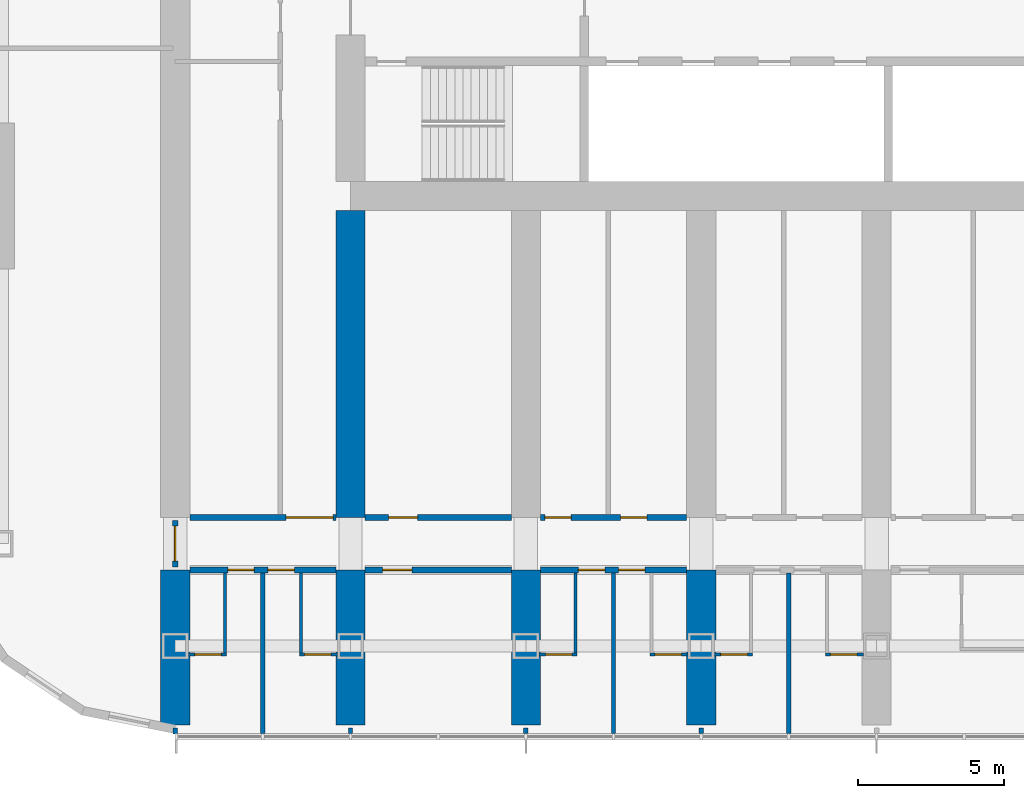
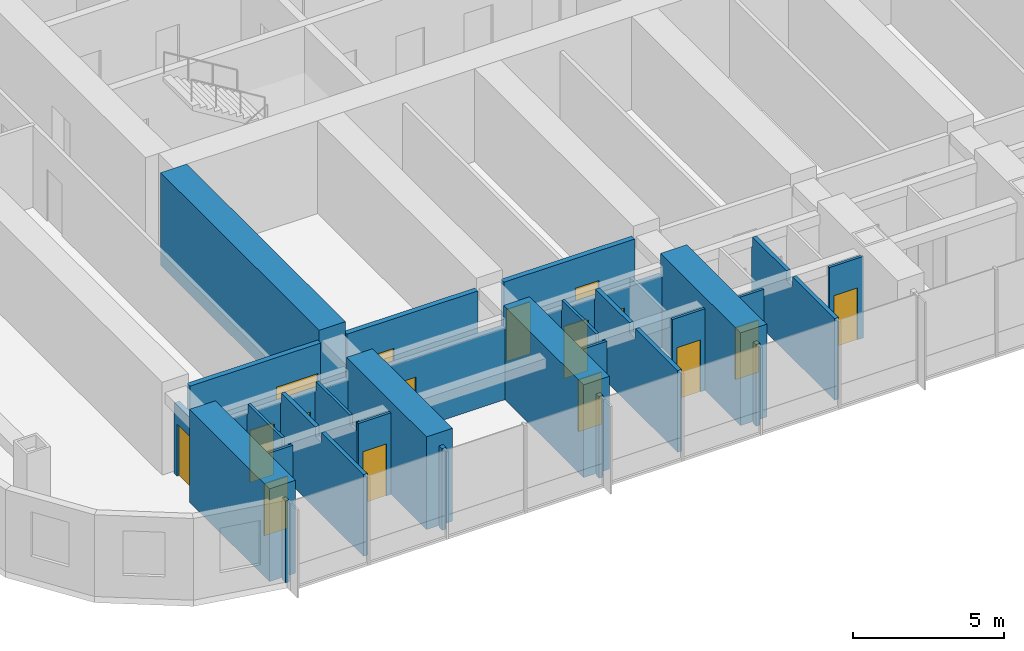
# One storey, part 10 of 23: 28 walls, 16 doors, 16 openings.
"""IFC4 building model written with IfcOpenShell, lengths in metres."""

from ifc_helpers import new_model, si_unit, direction, frame, frame_2d, origin, place, context, subcontext, project, spatial, polyline, rectangle, outline, extrude, material, layer, layer_set, type_object, element, fill, save


model = new_model("IFC4")

# Units and contexts
model_context = context("Model", 3, precision=1e-05, world=origin(), true_north=direction((0.0, 1.0)))
body_context = subcontext(model_context, "Body", "Model", "MODEL_VIEW")
ifc_project = project(units=[si_unit("LENGTHUNIT", "METRE"), si_unit("AREAUNIT", "SQUARE_METRE"), si_unit("VOLUMEUNIT", "CUBIC_METRE"), si_unit("PLANEANGLEUNIT", "RADIAN"), si_unit("MASSUNIT", "GRAM", prefix="KILO")], contexts=[model_context])

# Site, building, storey
site_placement = place(None, origin())
site = spatial("IfcSite", under=ifc_project, at=site_placement, CompositionType="ELEMENT")
building_placement = place(site_placement, origin())
building = spatial("IfcBuilding", under=site, at=building_placement, Name="Orbita Commons", CompositionType="ELEMENT")
storey_placement = place(building_placement, frame((0.0, 0.0, 50.199951171875)))
storey = spatial("IfcBuildingStorey", under=building, at=storey_placement, Name="L12", CompositionType="ELEMENT", Elevation=50.199951171875)

# Wall, openings, doors
ifc_material_1 = material(Name="Concrete blockwork", Category="masonry")
ifc_layer_1 = layer(ifc_material_1, 0.199951171875)
ifc_layer_set_1 = layer_set([ifc_layer_1], Name="Concrete blockwork")
wall_type_1 = type_object("IfcWallType", Name="Corridor wall 200 blockwork", PredefinedType="SOLIDWALL", material=ifc_layer_set_1)
wall_1_placement = place(storey_placement, frame((12.5, 13.0, 0.0), z_axis=(0.0, 0.0, 1.0), x_axis=(1.0, 0.0, 0.0)))
wall_1 = element("IfcWall", 1, at=wall_1_placement, inside=storey, type_object=wall_type_1, Name="Corridor wall 200 blockwork L12", PredefinedType="SOLIDWALL", context=body_context, shape_type="SweptSolid", body=[
    extrude(outline(polyline([(0.0, 0.0), (5.0, 0.0), (5.0, 2.900146484375), (0.0, 2.900146484375), (0.0, 0.0)])), frame((0.0, 0.10009765625, 0.0), z_axis=(0.0, -1.0, 0.0), x_axis=(1.0, 0.0, 0.0)), (0.0, 0.0, 1.0), 0.199951171875),
])
opening_1_placement = place(wall_1_placement, frame((1.300048828125, 0.0, 0.0)))
opening_1 = element("IfcOpeningElement", 2, at=opening_1_placement, cuts=wall_1, Name="Opening D11", PredefinedType="OPENING", context=body_context, shape_type="SweptSolid", body=[
    extrude(rectangle(XDim=0.89990234375, YDim=2.10009765625, at=frame_2d((0.449951171875, 1.050048828125))), frame((0.0, 0.10986328125, 0.0), z_axis=(0.0, -1.0, 0.0), x_axis=(1.0, 0.0, 0.0)), (0.0, 0.0, 1.0), 0.219970703125),
])
opening_2_placement = place(wall_1_placement, frame((2.675048828125, 0.0, 0.0)))
opening_2 = element("IfcOpeningElement", 3, at=opening_2_placement, cuts=wall_1, Name="Opening D11", PredefinedType="OPENING", context=body_context, shape_type="SweptSolid", body=[
    extrude(rectangle(XDim=0.89990234375, YDim=2.10009765625, at=frame_2d((0.449951171875, 1.050048828125))), frame((0.0, 0.10986328125, 0.0), z_axis=(0.0, -1.0, 0.0), x_axis=(1.0, 0.0, 0.0)), (0.0, 0.0, 1.0), 0.219970703125),
])
ifc_material_2 = material(Name="Steel-faced fire door leaf", Category="steel")
door_type_1 = type_object("IfcDoorType", Name="Corridor door 20 min 900x2100", OperationType="SINGLE_SWING_LEFT", PredefinedType="DOOR", material=ifc_material_2)
door_1_placement = place(opening_1_placement, origin())
door_1 = element("IfcDoor", 4, at=door_1_placement, inside=storey, type_object=door_type_1, Name="House bedroom L12-S00 door", OperationType="SINGLE_SWING_LEFT", OverallHeight=2.10009765625, OverallWidth=0.89990234375, PredefinedType="DOOR", context=body_context, shape_type="SweptSolid", body=[
    extrude(rectangle(XDim=0.89990234375, YDim=2.10009765625, at=frame_2d((0.449951171875, 1.050048828125))), frame((0.0, 0.02490234375, 0.0), z_axis=(0.0, -1.0, 0.0), x_axis=(1.0, 0.0, 0.0)), (0.0, 0.0, 1.0), 0.050048828125),
])
fill(opening_1, door_1)
door_2_placement = place(opening_2_placement, origin())
door_2 = element("IfcDoor", 5, at=door_2_placement, inside=storey, type_object=door_type_1, Name="House bedroom L12-S01 door", OperationType="SINGLE_SWING_LEFT", OverallHeight=2.10009765625, OverallWidth=0.89990234375, PredefinedType="DOOR", context=body_context, shape_type="SweptSolid", body=[
    extrude(rectangle(XDim=0.89990234375, YDim=2.10009765625, at=frame_2d((0.449951171875, 1.050048828125))), frame((0.0, 0.02490234375, 0.0), z_axis=(0.0, -1.0, 0.0), x_axis=(1.0, 0.0, 0.0)), (0.0, 0.0, 1.0), 0.050048828125),
])
fill(opening_2, door_2)

# Wall, opening, door
wall_2_placement = place(storey_placement, frame((18.5, 13.0, 0.0), z_axis=(0.0, 0.0, 1.0), x_axis=(1.0, 0.0, 0.0)))
wall_2 = element("IfcWall", 6, at=wall_2_placement, inside=storey, type_object=wall_type_1, Name="Corridor wall 200 blockwork L12", PredefinedType="SOLIDWALL", context=body_context, shape_type="SweptSolid", body=[
    extrude(outline(polyline([(0.0, 0.0), (5.0, 0.0), (5.0, 2.900146484375), (0.0, 2.900146484375), (0.0, 0.0)])), frame((0.0, 0.10009765625, 0.0), z_axis=(0.0, -1.0, 0.0), x_axis=(1.0, 0.0, 0.0)), (0.0, 0.0, 1.0), 0.199951171875),
])
opening_3_placement = place(wall_2_placement, frame((0.60009765625, 0.0, 0.0)))
opening_3 = element("IfcOpeningElement", 7, at=opening_3_placement, cuts=wall_2, Name="Opening D06", PredefinedType="OPENING", context=body_context, shape_type="SweptSolid", body=[
    extrude(rectangle(XDim=1.0, YDim=2.10009765625, at=frame_2d((0.5, 1.050048828125))), frame((0.0, 0.10986328125, 0.0), z_axis=(0.0, -1.0, 0.0), x_axis=(1.0, 0.0, 0.0)), (0.0, 0.0, 1.0), 0.219970703125),
])
ifc_material_3 = material(Name="Steel-faced fire door leaf", Category="steel")
door_type_2 = type_object("IfcDoorType", Name="Corridor door 20 min 1000x2100", OperationType="SINGLE_SWING_LEFT", PredefinedType="DOOR", material=ifc_material_3)
door_3_placement = place(opening_3_placement, origin())
door_3 = element("IfcDoor", 8, at=door_3_placement, inside=storey, type_object=door_type_2, Name="House study room L12-S02 door", OperationType="SINGLE_SWING_LEFT", OverallHeight=2.10009765625, OverallWidth=1.0, PredefinedType="DOOR", context=body_context, shape_type="SweptSolid", body=[
    extrude(rectangle(XDim=1.0, YDim=2.10009765625, at=frame_2d((0.5, 1.050048828125))), frame((0.0, 0.02490234375, 0.0), z_axis=(0.0, -1.0, 0.0), x_axis=(1.0, 0.0, 0.0)), (0.0, 0.0, 1.0), 0.050048828125),
])
fill(opening_3, door_3)

# Wall, openings, doors
wall_3_placement = place(storey_placement, frame((24.5, 13.0, 0.0), z_axis=(0.0, 0.0, 1.0), x_axis=(1.0, 0.0, 0.0)))
wall_3 = element("IfcWall", 9, at=wall_3_placement, inside=storey, type_object=wall_type_1, Name="Corridor wall 200 blockwork L12", PredefinedType="SOLIDWALL", context=body_context, shape_type="SweptSolid", body=[
    extrude(outline(polyline([(0.0, 0.0), (5.0, 0.0), (5.0, 2.900146484375), (0.0, 2.900146484375), (0.0, 0.0)])), frame((0.0, 0.10009765625, 0.0), z_axis=(0.0, -1.0, 0.0), x_axis=(1.0, 0.0, 0.0)), (0.0, 0.0, 1.0), 0.199951171875),
])
opening_4_placement = place(wall_3_placement, frame((1.300048828125, 0.0, 0.0)))
opening_4 = element("IfcOpeningElement", 10, at=opening_4_placement, cuts=wall_3, Name="Opening D11", PredefinedType="OPENING", context=body_context, shape_type="SweptSolid", body=[
    extrude(rectangle(XDim=0.89990234375, YDim=2.10009765625, at=frame_2d((0.449951171875, 1.050048828125))), frame((0.0, 0.10986328125, 0.0), z_axis=(0.0, -1.0, 0.0), x_axis=(1.0, 0.0, 0.0)), (0.0, 0.0, 1.0), 0.219970703125),
])
opening_5_placement = place(wall_3_placement, frame((2.675048828125, 0.0, 0.0)))
opening_5 = element("IfcOpeningElement", 11, at=opening_5_placement, cuts=wall_3, Name="Opening D11", PredefinedType="OPENING", context=body_context, shape_type="SweptSolid", body=[
    extrude(rectangle(XDim=0.89990234375, YDim=2.10009765625, at=frame_2d((0.449951171875, 1.050048828125))), frame((0.0, 0.10986328125, 0.0), z_axis=(0.0, -1.0, 0.0), x_axis=(1.0, 0.0, 0.0)), (0.0, 0.0, 1.0), 0.219970703125),
])
door_4_placement = place(opening_4_placement, origin())
door_4 = element("IfcDoor", 12, at=door_4_placement, inside=storey, type_object=door_type_1, Name="House bedroom L12-S04 door", OperationType="SINGLE_SWING_LEFT", OverallHeight=2.10009765625, OverallWidth=0.89990234375, PredefinedType="DOOR", context=body_context, shape_type="SweptSolid", body=[
    extrude(rectangle(XDim=0.89990234375, YDim=2.10009765625, at=frame_2d((0.449951171875, 1.050048828125))), frame((0.0, 0.02490234375, 0.0), z_axis=(0.0, -1.0, 0.0), x_axis=(1.0, 0.0, 0.0)), (0.0, 0.0, 1.0), 0.050048828125),
])
fill(opening_4, door_4)
door_5_placement = place(opening_5_placement, origin())
door_5 = element("IfcDoor", 13, at=door_5_placement, inside=storey, type_object=door_type_1, Name="House bedroom L12-S05 door", OperationType="SINGLE_SWING_LEFT", OverallHeight=2.10009765625, OverallWidth=0.89990234375, PredefinedType="DOOR", context=body_context, shape_type="SweptSolid", body=[
    extrude(rectangle(XDim=0.89990234375, YDim=2.10009765625, at=frame_2d((0.449951171875, 1.050048828125))), frame((0.0, 0.02490234375, 0.0), z_axis=(0.0, -1.0, 0.0), x_axis=(1.0, 0.0, 0.0)), (0.0, 0.0, 1.0), 0.050048828125),
])
fill(opening_5, door_5)

# Wall, opening, door
wall_4_placement = place(storey_placement, frame((12.0, 13.10009765625, 0.0), z_axis=(0.0, 0.0, 1.0), x_axis=(0.0, 1.0, 0.0)))
wall_4 = element("IfcWall", 14, at=wall_4_placement, inside=storey, type_object=wall_type_1, Name="Corridor wall 200 blockwork L12", PredefinedType="SOLIDWALL", context=body_context, shape_type="SweptSolid", body=[
    extrude(outline(polyline([(0.0, 0.0), (1.599853515625, 0.0), (1.60009765625, 2.85009765625), (0.0, 2.85009765625), (0.0, 0.0)])), frame((0.0, 0.10009765625, 0.0), z_axis=(0.0, -1.0, 0.0), x_axis=(1.0, 0.0, 0.0)), (0.0, 0.0, 1.0), 0.199951171875),
])
opening_6_placement = place(wall_4_placement, frame((0.199951171875, 0.0, 0.0)))
opening_6 = element("IfcOpeningElement", 15, at=opening_6_placement, cuts=wall_4, Name="Opening D12", PredefinedType="OPENING", context=body_context, shape_type="SweptSolid", body=[
    extrude(rectangle(XDim=1.199951171875, YDim=2.10009765625, at=frame_2d((0.60009765625, 1.050048828125))), frame((0.0, 0.10986328125, 0.0), z_axis=(0.0, -1.0, 0.0), x_axis=(1.0, 0.0, 0.0)), (0.0, 0.0, 1.0), 0.219970703125),
])
ifc_material_4 = material(Name="Steel-faced fire door leaf", Category="steel")
door_type_3 = type_object("IfcDoorType", Name="Double corridor door 20 min 1200x2100", OperationType="DOUBLE_DOOR_SINGLE_SWING", PredefinedType="DOOR", material=ifc_material_4)
door_6_placement = place(opening_6_placement, origin())
door_6 = element("IfcDoor", 16, at=door_6_placement, inside=storey, type_object=door_type_3, Name="Lounge doors", OperationType="DOUBLE_DOOR_SINGLE_SWING", OverallHeight=2.10009765625, OverallWidth=1.199951171875, PredefinedType="DOOR", context=body_context, shape_type="SweptSolid", body=[
    extrude(rectangle(XDim=1.199951171875, YDim=2.10009765625, at=frame_2d((0.60009765625, 1.050048828125))), frame((0.0, 0.02490234375, 0.0), z_axis=(0.0, -1.0, 0.0), x_axis=(1.0, 0.0, 0.0)), (0.0, 0.0, 1.0), 0.050048828125),
])
fill(opening_6, door_6)

ifc_material_5 = material(Name="Hollow concrete block 200", Category="concrete")
ifc_layer_2 = layer(ifc_material_5, 0.199951171875)
ifc_layer_set_2 = layer_set([ifc_layer_2], Name="Hollow concrete block 200")
wall_type_2 = type_object("IfcWallType", Name="Corridor wall 200 hollow concrete block", PredefinedType="SOLIDWALL", material=ifc_layer_set_2)
wall_5_placement = place(storey_placement, frame((12.5, 14.800048828125, 0.0), z_axis=(0.0, 0.0, 1.0), x_axis=(1.0, 0.0, 0.0)))
wall_5 = element("IfcWall", 17, at=wall_5_placement, inside=storey, type_object=wall_type_2, Name="Corridor wall 200 hollow concrete block L12", PredefinedType="SOLIDWALL", context=body_context, shape_type="SweptSolid", body=[
    extrude(rectangle(XDim=5.0, YDim=0.199951171875, at=frame_2d((2.5, 0.0))), origin(), (0.0, 0.0, 1.0), 3.300048828125),
])
opening_7_placement = place(wall_5_placement, frame((3.300048828125, 0.0, 0.0)))
opening_7 = element("IfcOpeningElement", 18, at=opening_7_placement, cuts=wall_5, Name="Opening D10", PredefinedType="OPENING", context=body_context, shape_type="SweptSolid", body=[
    extrude(rectangle(XDim=1.60009765625, YDim=2.10009765625, at=frame_2d((0.800048828125, 1.050048828125))), frame((0.0, 0.10986328125, 0.0), z_axis=(0.0, -1.0, 0.0), x_axis=(1.0, 0.0, 0.0)), (0.0, 0.0, 1.0), 0.219970703125),
])
ifc_material_6 = material(Name="Steel-faced fire door leaf", Category="steel")
door_type_4 = type_object("IfcDoorType", Name="Double corridor door 20 min 1600x2100", OperationType="DOUBLE_DOOR_SINGLE_SWING", PredefinedType="DOOR", material=ifc_material_6)
door_7_placement = place(opening_7_placement, origin())
door_7 = element("IfcDoor", 19, at=door_7_placement, inside=storey, type_object=door_type_4, Name="Cross corridor doors", OperationType="DOUBLE_DOOR_SINGLE_SWING", OverallHeight=2.10009765625, OverallWidth=1.60009765625, PredefinedType="DOOR", context=body_context, shape_type="SweptSolid", body=[
    extrude(rectangle(XDim=1.60009765625, YDim=2.10009765625, at=frame_2d((0.800048828125, 1.050048828125))), frame((0.0, 0.02490234375, 0.0), z_axis=(0.0, -1.0, 0.0), x_axis=(1.0, 0.0, 0.0)), (0.0, 0.0, 1.0), 0.050048828125),
])
fill(opening_7, door_7)

wall_6_placement = place(storey_placement, frame((18.5, 14.800048828125, 0.0), z_axis=(0.0, 0.0, 1.0), x_axis=(1.0, 0.0, 0.0)))
wall_6 = element("IfcWall", 20, at=wall_6_placement, inside=storey, type_object=wall_type_2, Name="Corridor wall 200 hollow concrete block L12", PredefinedType="SOLIDWALL", context=body_context, shape_type="SweptSolid", body=[
    extrude(rectangle(XDim=5.0, YDim=0.199951171875, at=frame_2d((2.5, 0.0))), origin(), (0.0, 0.0, 1.0), 3.300048828125),
])
opening_8_placement = place(wall_6_placement, frame((0.800048828125, 0.0, 0.0)))
opening_8 = element("IfcOpeningElement", 21, at=opening_8_placement, cuts=wall_6, Name="Opening D06", PredefinedType="OPENING", context=body_context, shape_type="SweptSolid", body=[
    extrude(rectangle(XDim=1.0, YDim=2.10009765625, at=frame_2d((0.5, 1.050048828125))), frame((0.0, 0.10986328125, 0.0), z_axis=(0.0, -1.0, 0.0), x_axis=(1.0, 0.0, 0.0)), (0.0, 0.0, 1.0), 0.219970703125),
])
door_8_placement = place(opening_8_placement, origin())
door_8 = element("IfcDoor", 22, at=door_8_placement, inside=storey, type_object=door_type_2, Name="IT and print room L12-BDS18 door", OperationType="SINGLE_SWING_LEFT", OverallHeight=2.10009765625, OverallWidth=1.0, PredefinedType="DOOR", context=body_context, shape_type="SweptSolid", body=[
    extrude(rectangle(XDim=1.0, YDim=2.10009765625, at=frame_2d((0.5, 1.050048828125))), frame((0.0, 0.02490234375, 0.0), z_axis=(0.0, -1.0, 0.0), x_axis=(1.0, 0.0, 0.0)), (0.0, 0.0, 1.0), 0.050048828125),
])
fill(opening_8, door_8)

# Wall, openings, doors
wall_7_placement = place(storey_placement, frame((24.5, 14.800048828125, 0.0), z_axis=(0.0, 0.0, 1.0), x_axis=(1.0, 0.0, 0.0)))
wall_7 = element("IfcWall", 23, at=wall_7_placement, inside=storey, type_object=wall_type_2, Name="Corridor wall 200 hollow concrete block L12", PredefinedType="SOLIDWALL", context=body_context, shape_type="SweptSolid", body=[
    extrude(rectangle(XDim=5.0, YDim=0.199951171875, at=frame_2d((2.5, 0.0))), origin(), (0.0, 0.0, 1.0), 3.300048828125),
])
opening_9_placement = place(wall_7_placement, frame((0.14990234375, 0.0, 0.0)))
opening_9 = element("IfcOpeningElement", 24, at=opening_9_placement, cuts=wall_7, Name="Opening D11", PredefinedType="OPENING", context=body_context, shape_type="SweptSolid", body=[
    extrude(rectangle(XDim=0.89990234375, YDim=2.10009765625, at=frame_2d((0.449951171875, 1.050048828125))), frame((0.0, 0.10986328125, 0.0), z_axis=(0.0, -1.0, 0.0), x_axis=(1.0, 0.0, 0.0)), (0.0, 0.0, 1.0), 0.219970703125),
])
opening_10_placement = place(wall_7_placement, frame((2.739990234375, 0.0, 0.0)))
opening_10 = element("IfcOpeningElement", 25, at=opening_10_placement, cuts=wall_7, Name="Opening D11", PredefinedType="OPENING", context=body_context, shape_type="SweptSolid", body=[
    extrude(rectangle(XDim=0.89990234375, YDim=2.10009765625, at=frame_2d((0.449951171875, 1.050048828125))), frame((0.0, 0.10986328125, 0.0), z_axis=(0.0, -1.0, 0.0), x_axis=(1.0, 0.0, 0.0)), (0.0, 0.0, 1.0), 0.219970703125),
])
door_9_placement = place(opening_9_placement, origin())
door_9 = element("IfcDoor", 26, at=door_9_placement, inside=storey, type_object=door_type_1, Name="Accessible WC and shower room L12-BDS24n door", OperationType="SINGLE_SWING_LEFT", OverallHeight=2.10009765625, OverallWidth=0.89990234375, PredefinedType="DOOR", context=body_context, shape_type="SweptSolid", body=[
    extrude(rectangle(XDim=0.89990234375, YDim=2.10009765625, at=frame_2d((0.449951171875, 1.050048828125))), frame((0.0, 0.02490234375, 0.0), z_axis=(0.0, -1.0, 0.0), x_axis=(1.0, 0.0, 0.0)), (0.0, 0.0, 1.0), 0.050048828125),
])
fill(opening_9, door_9)
door_10_placement = place(opening_10_placement, origin())
door_10 = element("IfcDoor", 27, at=door_10_placement, inside=storey, type_object=door_type_1, Name="Bicycle repair workshop L12-BDS24 door", OperationType="SINGLE_SWING_LEFT", OverallHeight=2.10009765625, OverallWidth=0.89990234375, PredefinedType="DOOR", context=body_context, shape_type="SweptSolid", body=[
    extrude(rectangle(XDim=0.89990234375, YDim=2.10009765625, at=frame_2d((0.449951171875, 1.050048828125))), frame((0.0, 0.02490234375, 0.0), z_axis=(0.0, -1.0, 0.0), x_axis=(1.0, 0.0, 0.0)), (0.0, 0.0, 1.0), 0.050048828125),
])
fill(opening_10, door_10)

# Walls
ifc_material_7 = material(Name="Concrete C50/60", Category="concrete")
ifc_layer_3 = layer(ifc_material_7, 1.0)
ifc_layer_set_3 = layer_set([ifc_layer_3], Name="Concrete C50/60")
wall_type_3 = type_object("IfcWallType", Name="Cross wall 1000 C50/60", PredefinedType="SHEAR", material=ifc_layer_set_3)
for number, where, z_axis, x_axis, name in (
    (28, (12.0, 7.699951171875, 0.0), (0.0, 0.0, 1.0), (0.0, 1.0, 0.0), "Cross wall 3 south outer L12"),
    (29, (18.0, 7.699951171875, 0.0), (0.0, 0.0, 1.0), (0.0, 1.0, 0.0), "Cross wall 4 south outer L12"),
):
    element("IfcWall", number, at=place(storey_placement, frame(where, z_axis=z_axis, x_axis=x_axis)), inside=storey, type_object=wall_type_3, Name=name, PredefinedType="SHEAR", context=body_context, shape_type="SweptSolid", body=[
        extrude(rectangle(XDim=5.300048828125, YDim=1.0, at=frame_2d((2.64990234375, 0.0))), origin(), (0.0, 0.0, 1.0), 3.75),
    ])
wall_8_placement = place(storey_placement, frame((18.0, 14.800048828125, 0.0), z_axis=(0.0, 0.0, 1.0), x_axis=(0.0, 1.0, 0.0)))
element("IfcWall", 30, at=wall_8_placement, inside=storey, type_object=wall_type_3, Name="Cross wall 4 south inner L12", PredefinedType="SHEAR", context=body_context, shape_type="SweptSolid", body=[
    extrude(rectangle(XDim=10.5, YDim=1.0, at=frame_2d((5.25, 0.0))), origin(), (0.0, 0.0, 1.0), 3.75),
])
for number, where, z_axis, x_axis, name in (
    (31, (24.0, 7.699951171875, 0.0), (0.0, 0.0, 1.0), (0.0, 1.0, 0.0), "Cross wall 5 south outer L12"),
    (32, (30.0, 7.699951171875, 0.0), (0.0, 0.0, 1.0), (0.0, 1.0, 0.0), "Cross wall 6 south outer L12"),
):
    element("IfcWall", number, at=place(storey_placement, frame(where, z_axis=z_axis, x_axis=x_axis)), inside=storey, type_object=wall_type_3, Name=name, PredefinedType="SHEAR", context=body_context, shape_type="SweptSolid", body=[
        extrude(rectangle(XDim=5.300048828125, YDim=1.0, at=frame_2d((2.64990234375, 0.0))), origin(), (0.0, 0.0, 1.0), 3.75),
    ])

# Wall, opening, door
ifc_material_8 = material(Name="Moisture-resistant plasterboard on steel studs", Category="steel")
ifc_layer_4 = layer(ifc_material_8, 0.10009765625)
ifc_layer_set_4 = layer_set([ifc_layer_4], Name="Moisture-resistant plasterboard on steel studs")
wall_type_4 = type_object("IfcWallType", Name="En-suite partition 100", PredefinedType="PARTITIONING", material=ifc_layer_set_4)
wall_9_placement = place(storey_placement, frame((13.75, 10.10009765625, 0.0), z_axis=(0.0, 0.0, 1.0), x_axis=(-1.0, 0.0, 0.0)))
wall_9 = element("IfcWall", 33, at=wall_9_placement, inside=storey, type_object=wall_type_4, Name="En-suite partition 100 L12", PredefinedType="PARTITIONING", context=body_context, shape_type="SweptSolid", body=[
    extrude(rectangle(XDim=1.300048828125, YDim=0.10009765625, at=frame_2d((0.64990234375, 0.0))), origin(), (0.0, 0.0, 1.0), 3.300048828125),
])
opening_11_placement = place(wall_9_placement, frame((0.175048828125, 0.0, 0.0)))
opening_11 = element("IfcOpeningElement", 34, at=opening_11_placement, cuts=wall_9, Name="Opening D09", PredefinedType="OPENING", context=body_context, shape_type="SweptSolid", body=[
    extrude(rectangle(XDim=0.89990234375, YDim=2.10009765625, at=frame_2d((0.449951171875, 1.050048828125))), frame((0.0, 0.06005859375, 0.0), z_axis=(0.0, -1.0, 0.0), x_axis=(1.0, 0.0, 0.0)), (0.0, 0.0, 1.0), 0.1201171875),
])
ifc_material_9 = material(Name="Laminated timber door leaf", Category="wood")
door_type_5 = type_object("IfcDoorType", Name="En-suite door 900x2100", OperationType="SINGLE_SWING_RIGHT", PredefinedType="DOOR", material=ifc_material_9)
door_11_placement = place(opening_11_placement, origin())
door_11 = element("IfcDoor", 35, at=door_11_placement, inside=storey, type_object=door_type_5, Name="En-suite L12-S00 door", OperationType="SINGLE_SWING_RIGHT", OverallHeight=2.10009765625, OverallWidth=0.89990234375, PredefinedType="DOOR", context=body_context, shape_type="SweptSolid", body=[
    extrude(rectangle(XDim=0.89990234375, YDim=2.10009765625, at=frame_2d((0.449951171875, 1.050048828125))), frame((0.0, 0.02490234375, 0.0), z_axis=(0.0, -1.0, 0.0), x_axis=(1.0, 0.0, 0.0)), (0.0, 0.0, 1.0), 0.050048828125),
])
fill(opening_11, door_11)

# Wall
wall_10_placement = place(storey_placement, frame((13.699951171875, 10.14990234375, 0.0), z_axis=(0.0, 0.0, 1.0), x_axis=(0.0, 1.0, 0.0)))
element("IfcWall", 36, at=wall_10_placement, inside=storey, type_object=wall_type_4, Name="En-suite partition 100 L12", PredefinedType="PARTITIONING", context=body_context, shape_type="SweptSolid", body=[
    extrude(outline(polyline([(0.0, 0.0), (2.75, 0.0), (2.75, 2.900146484375), (2.701904296875, 2.900146484375), (2.699951171875, 3.300048828125), (0.451904296875, 3.300048828125), (0.449951171875, 2.900146484375), (0.052001953125, 2.900146484375), (0.050048828125, 3.300048828125), (0.0, 3.300048828125), (0.0, 0.0)])), frame((0.0, 0.050048828125, 0.0), z_axis=(0.0, -1.0, 0.0), x_axis=(1.0, 0.0, 0.0)), (0.0, 0.0, 1.0), 0.10009765625),
])

# Wall, opening, door
wall_11_placement = place(storey_placement, frame((17.550048828125, 10.10009765625, 0.0), z_axis=(0.0, 0.0, 1.0), x_axis=(-1.0, 0.0, 0.0)))
wall_11 = element("IfcWall", 37, at=wall_11_placement, inside=storey, type_object=wall_type_4, Name="En-suite partition 100 L12", PredefinedType="PARTITIONING", context=body_context, shape_type="SweptSolid", body=[
    extrude(rectangle(XDim=1.300048828125, YDim=0.10009765625, at=frame_2d((0.64990234375, 0.0))), origin(), (0.0, 0.0, 1.0), 3.300048828125),
])
opening_12_placement = place(wall_11_placement, frame((0.22509765625, 0.0, 0.0)))
opening_12 = element("IfcOpeningElement", 38, at=opening_12_placement, cuts=wall_11, Name="Opening D09", PredefinedType="OPENING", context=body_context, shape_type="SweptSolid", body=[
    extrude(rectangle(XDim=0.89990234375, YDim=2.10009765625, at=frame_2d((0.449951171875, 1.050048828125))), frame((0.0, 0.06005859375, 0.0), z_axis=(0.0, -1.0, 0.0), x_axis=(1.0, 0.0, 0.0)), (0.0, 0.0, 1.0), 0.1201171875),
])
door_12_placement = place(opening_12_placement, origin())
door_12 = element("IfcDoor", 39, at=door_12_placement, inside=storey, type_object=door_type_5, Name="En-suite L12-S01 door", OperationType="SINGLE_SWING_RIGHT", OverallHeight=2.10009765625, OverallWidth=0.89990234375, PredefinedType="DOOR", context=body_context, shape_type="SweptSolid", body=[
    extrude(rectangle(XDim=0.89990234375, YDim=2.10009765625, at=frame_2d((0.449951171875, 1.050048828125))), frame((0.0, 0.02490234375, 0.0), z_axis=(0.0, -1.0, 0.0), x_axis=(1.0, 0.0, 0.0)), (0.0, 0.0, 1.0), 0.050048828125),
])
fill(opening_12, door_12)

# Wall
wall_12_placement = place(storey_placement, frame((16.300048828125, 10.14990234375, 0.0), z_axis=(0.0, 0.0, 1.0), x_axis=(0.0, 1.0, 0.0)))
element("IfcWall", 40, at=wall_12_placement, inside=storey, type_object=wall_type_4, Name="En-suite partition 100 L12", PredefinedType="PARTITIONING", context=body_context, shape_type="SweptSolid", body=[
    extrude(outline(polyline([(0.0, 0.0), (2.75, 0.0), (2.75, 2.900146484375), (2.701904296875, 2.900146484375), (2.699951171875, 3.300048828125), (0.451904296875, 3.300048828125), (0.449951171875, 2.900146484375), (0.052001953125, 2.900146484375), (0.050048828125, 3.300048828125), (0.0, 3.300048828125), (0.0, 0.0)])), frame((0.0, 0.050048828125, 0.0), z_axis=(0.0, -1.0, 0.0), x_axis=(1.0, 0.0, 0.0)), (0.0, 0.0, 1.0), 0.10009765625),
])

# Wall, opening, door
wall_13_placement = place(storey_placement, frame((25.75, 10.10009765625, 0.0), z_axis=(0.0, 0.0, 1.0), x_axis=(-1.0, 0.0, 0.0)))
wall_13 = element("IfcWall", 41, at=wall_13_placement, inside=storey, type_object=wall_type_4, Name="En-suite partition 100 L12", PredefinedType="PARTITIONING", context=body_context, shape_type="SweptSolid", body=[
    extrude(rectangle(XDim=1.300048828125, YDim=0.10009765625, at=frame_2d((0.64990234375, 0.0))), origin(), (0.0, 0.0, 1.0), 3.300048828125),
])
opening_13_placement = place(wall_13_placement, frame((0.175048828125, 0.0, 0.0)))
opening_13 = element("IfcOpeningElement", 42, at=opening_13_placement, cuts=wall_13, Name="Opening D09", PredefinedType="OPENING", context=body_context, shape_type="SweptSolid", body=[
    extrude(rectangle(XDim=0.89990234375, YDim=2.10009765625, at=frame_2d((0.449951171875, 1.050048828125))), frame((0.0, 0.06005859375, 0.0), z_axis=(0.0, -1.0, 0.0), x_axis=(1.0, 0.0, 0.0)), (0.0, 0.0, 1.0), 0.1201171875),
])
door_13_placement = place(opening_13_placement, origin())
door_13 = element("IfcDoor", 43, at=door_13_placement, inside=storey, type_object=door_type_5, Name="En-suite L12-S04 door", OperationType="SINGLE_SWING_RIGHT", OverallHeight=2.10009765625, OverallWidth=0.89990234375, PredefinedType="DOOR", context=body_context, shape_type="SweptSolid", body=[
    extrude(rectangle(XDim=0.89990234375, YDim=2.10009765625, at=frame_2d((0.449951171875, 1.050048828125))), frame((0.0, 0.02490234375, 0.0), z_axis=(0.0, -1.0, 0.0), x_axis=(1.0, 0.0, 0.0)), (0.0, 0.0, 1.0), 0.050048828125),
])
fill(opening_13, door_13)

# Wall
wall_14_placement = place(storey_placement, frame((25.699951171875, 10.14990234375, 0.0), z_axis=(0.0, 0.0, 1.0), x_axis=(0.0, 1.0, 0.0)))
element("IfcWall", 44, at=wall_14_placement, inside=storey, type_object=wall_type_4, Name="En-suite partition 100 L12", PredefinedType="PARTITIONING", context=body_context, shape_type="SweptSolid", body=[
    extrude(outline(polyline([(0.0, 0.0), (2.75, 0.0), (2.75, 2.900146484375), (2.701904296875, 2.900146484375), (2.699951171875, 3.300048828125), (0.451904296875, 3.300048828125), (0.449951171875, 2.900146484375), (0.052001953125, 2.900146484375), (0.050048828125, 3.300048828125), (0.0, 3.300048828125), (0.0, 0.0)])), frame((0.0, 0.050048828125, 0.0), z_axis=(0.0, -1.0, 0.0), x_axis=(1.0, 0.0, 0.0)), (0.0, 0.0, 1.0), 0.10009765625),
])

# Wall, opening, door
wall_15_placement = place(storey_placement, frame((29.550048828125, 10.10009765625, 0.0), z_axis=(0.0, 0.0, 1.0), x_axis=(-1.0, 0.0, 0.0)))
wall_15 = element("IfcWall", 45, at=wall_15_placement, inside=storey, type_object=wall_type_4, Name="En-suite partition 100 L12", PredefinedType="PARTITIONING", context=body_context, shape_type="SweptSolid", body=[
    extrude(rectangle(XDim=1.300048828125, YDim=0.10009765625, at=frame_2d((0.64990234375, 0.0))), origin(), (0.0, 0.0, 1.0), 3.300048828125),
])
opening_14_placement = place(wall_15_placement, frame((0.22509765625, 0.0, 0.0)))
opening_14 = element("IfcOpeningElement", 46, at=opening_14_placement, cuts=wall_15, Name="Opening D09", PredefinedType="OPENING", context=body_context, shape_type="SweptSolid", body=[
    extrude(rectangle(XDim=0.89990234375, YDim=2.10009765625, at=frame_2d((0.449951171875, 1.050048828125))), frame((0.0, 0.06005859375, 0.0), z_axis=(0.0, -1.0, 0.0), x_axis=(1.0, 0.0, 0.0)), (0.0, 0.0, 1.0), 0.1201171875),
])
door_14_placement = place(opening_14_placement, origin())
door_14 = element("IfcDoor", 47, at=door_14_placement, inside=storey, type_object=door_type_5, Name="En-suite L12-S05 door", OperationType="SINGLE_SWING_RIGHT", OverallHeight=2.10009765625, OverallWidth=0.89990234375, PredefinedType="DOOR", context=body_context, shape_type="SweptSolid", body=[
    extrude(rectangle(XDim=0.89990234375, YDim=2.10009765625, at=frame_2d((0.449951171875, 1.050048828125))), frame((0.0, 0.02490234375, 0.0), z_axis=(0.0, -1.0, 0.0), x_axis=(1.0, 0.0, 0.0)), (0.0, 0.0, 1.0), 0.050048828125),
])
fill(opening_14, door_14)

wall_16_placement = place(storey_placement, frame((31.75, 10.10009765625, 0.0), z_axis=(0.0, 0.0, 1.0), x_axis=(-1.0, 0.0, 0.0)))
wall_16 = element("IfcWall", 48, at=wall_16_placement, inside=storey, type_object=wall_type_4, Name="En-suite partition 100 L12", PredefinedType="PARTITIONING", context=body_context, shape_type="SweptSolid", body=[
    extrude(rectangle(XDim=1.300048828125, YDim=0.10009765625, at=frame_2d((0.64990234375, 0.0))), origin(), (0.0, 0.0, 1.0), 3.300048828125),
])
opening_15_placement = place(wall_16_placement, frame((0.175048828125, 0.0, 0.0)))
opening_15 = element("IfcOpeningElement", 49, at=opening_15_placement, cuts=wall_16, Name="Opening D09", PredefinedType="OPENING", context=body_context, shape_type="SweptSolid", body=[
    extrude(rectangle(XDim=0.89990234375, YDim=2.10009765625, at=frame_2d((0.449951171875, 1.050048828125))), frame((0.0, 0.06005859375, 0.0), z_axis=(0.0, -1.0, 0.0), x_axis=(1.0, 0.0, 0.0)), (0.0, 0.0, 1.0), 0.1201171875),
])
door_15_placement = place(opening_15_placement, origin())
door_15 = element("IfcDoor", 50, at=door_15_placement, inside=storey, type_object=door_type_5, Name="En-suite L12-S06 door", OperationType="SINGLE_SWING_RIGHT", OverallHeight=2.10009765625, OverallWidth=0.89990234375, PredefinedType="DOOR", context=body_context, shape_type="SweptSolid", body=[
    extrude(rectangle(XDim=0.89990234375, YDim=2.10009765625, at=frame_2d((0.449951171875, 1.050048828125))), frame((0.0, 0.02490234375, 0.0), z_axis=(0.0, -1.0, 0.0), x_axis=(1.0, 0.0, 0.0)), (0.0, 0.0, 1.0), 0.050048828125),
])
fill(opening_15, door_15)

wall_17_placement = place(storey_placement, frame((35.550048828125, 10.10009765625, 0.0), z_axis=(0.0, 0.0, 1.0), x_axis=(-1.0, 0.0, 0.0)))
wall_17 = element("IfcWall", 51, at=wall_17_placement, inside=storey, type_object=wall_type_4, Name="En-suite partition 100 L12", PredefinedType="PARTITIONING", context=body_context, shape_type="SweptSolid", body=[
    extrude(rectangle(XDim=1.300048828125, YDim=0.10009765625, at=frame_2d((0.64990234375, 0.0))), origin(), (0.0, 0.0, 1.0), 3.300048828125),
])
opening_16_placement = place(wall_17_placement, frame((0.22509765625, 0.0, 0.0)))
opening_16 = element("IfcOpeningElement", 52, at=opening_16_placement, cuts=wall_17, Name="Opening D09", PredefinedType="OPENING", context=body_context, shape_type="SweptSolid", body=[
    extrude(rectangle(XDim=0.89990234375, YDim=2.10009765625, at=frame_2d((0.449951171875, 1.050048828125))), frame((0.0, 0.06005859375, 0.0), z_axis=(0.0, -1.0, 0.0), x_axis=(1.0, 0.0, 0.0)), (0.0, 0.0, 1.0), 0.1201171875),
])
door_16_placement = place(opening_16_placement, origin())
door_16 = element("IfcDoor", 53, at=door_16_placement, inside=storey, type_object=door_type_5, Name="En-suite L12-S07 door", OperationType="SINGLE_SWING_RIGHT", OverallHeight=2.10009765625, OverallWidth=0.89990234375, PredefinedType="DOOR", context=body_context, shape_type="SweptSolid", body=[
    extrude(rectangle(XDim=0.89990234375, YDim=2.10009765625, at=frame_2d((0.449951171875, 1.050048828125))), frame((0.0, 0.02490234375, 0.0), z_axis=(0.0, -1.0, 0.0), x_axis=(1.0, 0.0, 0.0)), (0.0, 0.0, 1.0), 0.050048828125),
])
fill(opening_16, door_16)

# Walls
ifc_material_10 = material(Name="Gypsum plasterboard on steel studs", Category="steel")
ifc_layer_5 = layer(ifc_material_10, 0.14990234375)
ifc_layer_set_5 = layer_set([ifc_layer_5], Name="Gypsum plasterboard on steel studs")
wall_type_5 = type_object("IfcWallType", Name="Partition 150 plasterboard", PredefinedType="PARTITIONING", material=ifc_layer_set_5)
wall_18_placement = place(storey_placement, frame((12.0, 7.60009765625, 0.0), z_axis=(0.0, 0.0, 1.0), x_axis=(0.0, -1.0, 0.0)))
element("IfcWall", 54, at=wall_18_placement, inside=storey, type_object=wall_type_5, Name="Partition 150 plasterboard L12", PredefinedType="PARTITIONING", context=body_context, shape_type="SweptSolid", body=[
    extrude(rectangle(XDim=0.22021484375, YDim=0.14990234375, at=frame_2d((0.110107421875, 0.0))), origin(), (0.0, 0.0, 1.0), 3.300048828125),
])
for number, where, z_axis, x_axis, name in (
    (55, (18.0, 7.60009765625, 0.0), (0.0, 0.0, 1.0), (0.0, -1.0, 0.0), "Partition 150 plasterboard L12"),
    (56, (24.0, 7.60009765625, 0.0), (0.0, 0.0, 1.0), (0.0, -1.0, 0.0), "Partition 150 plasterboard L12"),
    (57, (30.0, 7.60009765625, 0.0), (0.0, 0.0, 1.0), (0.0, -1.0, 0.0), "Partition 150 plasterboard L12"),
):
    element("IfcWall", number, at=place(storey_placement, frame(where, z_axis=z_axis, x_axis=x_axis)), inside=storey, type_object=wall_type_5, Name=name, PredefinedType="PARTITIONING", context=body_context, shape_type="SweptSolid", body=[
        extrude(rectangle(XDim=0.190185546875, YDim=0.14990234375, at=frame_2d((0.09521484375, 0.0))), origin(), (0.0, 0.0, 1.0), 3.300048828125),
    ])
ifc_material_11 = material(Name="Gypsum plasterboard on steel studs", Category="steel")
ifc_layer_6 = layer(ifc_material_11, 0.14990234375)
ifc_layer_set_6 = layer_set([ifc_layer_6], Name="Gypsum plasterboard on steel studs")
wall_type_6 = type_object("IfcWallType", Name="Party wall 150 plasterboard", PredefinedType="PARTITIONING", material=ifc_layer_set_6)
for number, where, z_axis, x_axis, name in (
    (58, (15.0, 7.409912109375, 0.0), (0.0, 0.0, 1.0), (0.0, 1.0, 0.0), "Party wall 150 plasterboard L12"),
    (59, (27.0, 7.409912109375, 0.0), (0.0, 0.0, 1.0), (0.0, 1.0, 0.0), "Party wall 150 plasterboard L12"),
    (60, (33.0, 7.409912109375, 0.0), (0.0, 0.0, 1.0), (0.0, 1.0, 0.0), "Party wall 150 plasterboard L12"),
):
    element("IfcWall", number, at=place(storey_placement, frame(where, z_axis=z_axis, x_axis=x_axis)), inside=storey, type_object=wall_type_6, Name=name, PredefinedType="PARTITIONING", context=body_context, shape_type="SweptSolid", body=[
        extrude(outline(polyline([(0.0, 0.0), (5.489990234375, 0.0), (5.489990234375, 2.900146484375), (5.44189453125, 2.900146484375), (5.43994140625, 3.300048828125), (3.19189453125, 3.300048828125), (3.18994140625, 2.900146484375), (2.7919921875, 2.900146484375), (2.7900390625, 3.300048828125), (0.0, 3.300048828125), (0.0, 0.0)])), frame((0.0, 0.074951171875, 0.0), z_axis=(0.0, -1.0, 0.0), x_axis=(1.0, 0.0, 0.0)), (0.0, 0.0, 1.0), 0.14990234375),
    ])

save(model, "model.ifc")
